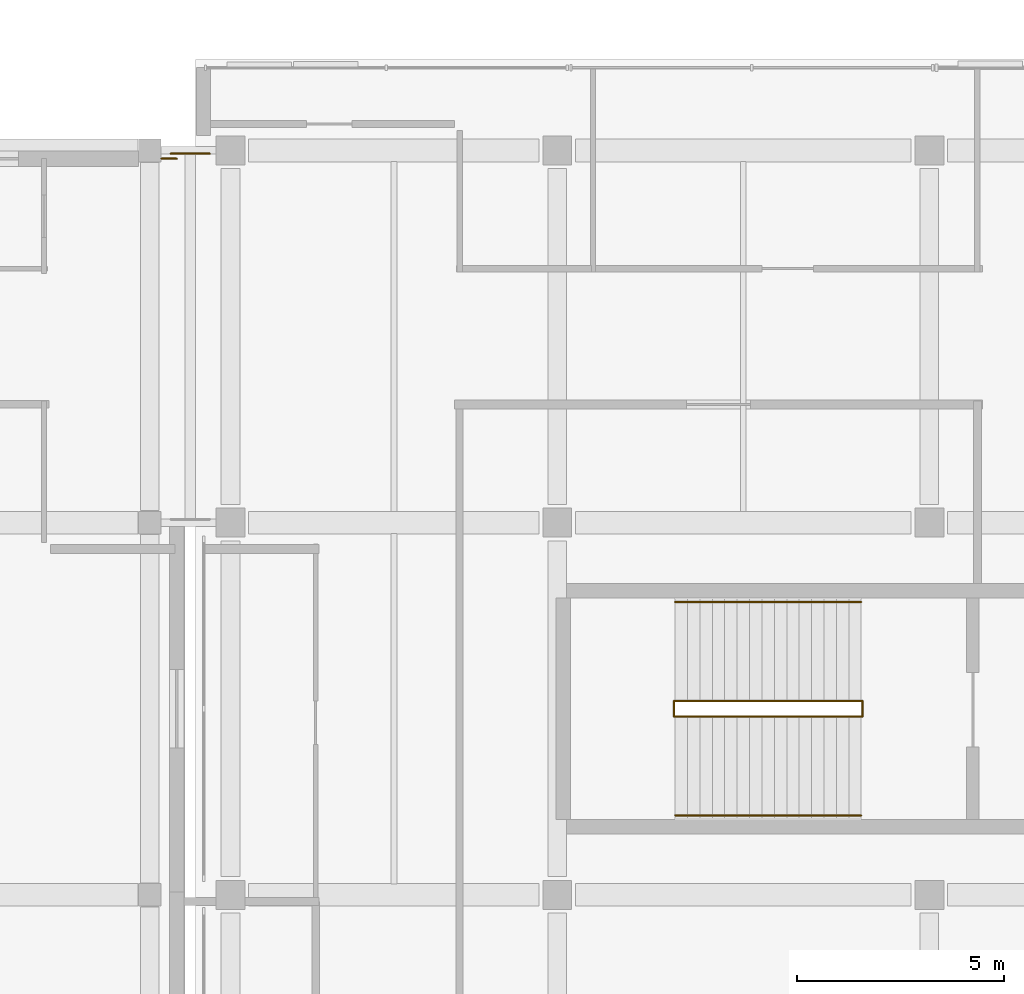
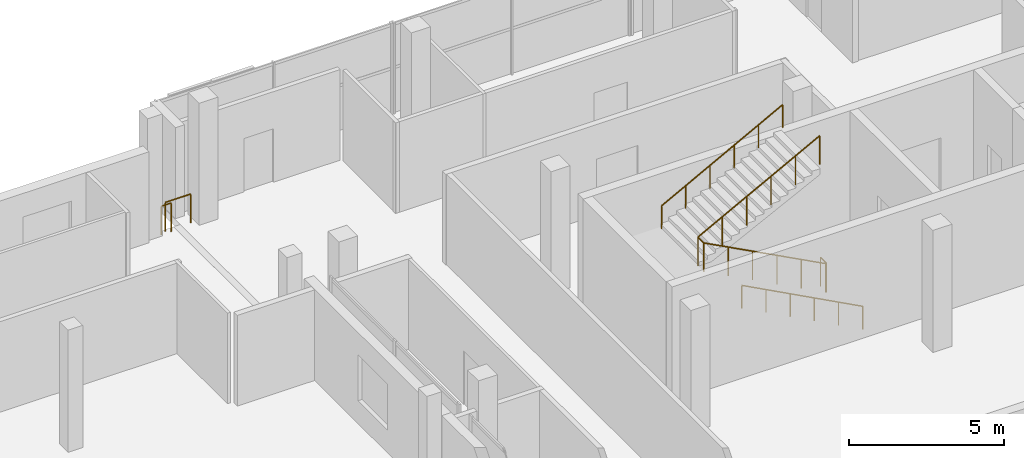
# One storey, part 109 of 111: 6 railings.
"""IFC4 building model written with IfcOpenShell, lengths in metres."""

import ifcopenshell
import ifcopenshell.guid

model = None  # the IFC model being written
_history = None  # IfcOwnerHistory: only IFC2X3 demands one
_inside = {}  # id of a spatial element -> (the spatial element, [elements in it])
_under = {}  # id of a project, library or spatial element -> (it, [spatial elements below it])
_declared = {}  # id of a project -> (the project, [libraries it declares])
_typed = {}  # id of a type object -> (the type object, [elements of that type])
_made_of = {}  # id of a material, layer set ... -> (it, [elements and type objects made of it])


def new_model(schema):
    """Start an empty IFC model of exactly this schema.

    Asked for "IFC4X3", IfcOpenShell would pick the latest addendum, in which some entities
    have other attributes; the version numbers below select the first issue.
    IFC2X3 requires an IfcOwnerHistory on every rooted entity: one is made here for all.
    """
    global model, _history
    if schema == "IFC4X3":
        model = ifcopenshell.file(schema_version=(4, 3, 0, 0))
    else:
        model = ifcopenshell.file(schema=schema)
    _inside.clear()
    _under.clear()
    _declared.clear()
    _typed.clear()
    _made_of.clear()
    _history = None
    if model.schema == "IFC2X3":
        org = make("IfcOrganization", Name="unknown")
        user = make(
            "IfcPersonAndOrganization",
            ThePerson=make("IfcPerson", FamilyName="unknown"),
            TheOrganization=org,
        )
        app = make(
            "IfcApplication",
            ApplicationDeveloper=org,
            Version="unknown",
            ApplicationFullName="unknown",
            ApplicationIdentifier="unknown",
        )
        _history = make(
            "IfcOwnerHistory",
            OwningUser=user,
            OwningApplication=app,
            ChangeAction="ADDED",
            CreationDate=0,
        )
    return model


def make(cls, **values):
    """One entity of the class cls with the attributes given. An attribute that is None is left unset."""
    return model.create_entity(
        cls, **{name: value for name, value in values.items() if value is not None}
    )


def rooted(cls, **values):
    """An entity with a GlobalId (a new one), such as an element, a storey or a relation."""
    return make(cls, GlobalId=ifcopenshell.guid.new(), OwnerHistory=_history, **values)


def si_unit(unit_type, name, prefix=None):
    """IfcSIUnit, for example si_unit("LENGTHUNIT", "METRE", prefix="MILLI")."""
    return make("IfcSIUnit", UnitType=unit_type, Prefix=prefix, Name=name)


def assignment(units):
    """IfcUnitAssignment: the units of a project."""
    return None if units is None else make("IfcUnitAssignment", Units=units)


def point(xyz):
    """IfcCartesianPoint."""
    return None if xyz is None else make("IfcCartesianPoint", Coordinates=xyz)


def direction(xyz):
    """IfcDirection."""
    return None if xyz is None else make("IfcDirection", DirectionRatios=xyz)


def frame(location, z_axis=None, x_axis=None):
    """IfcAxis2Placement3D, a coordinate frame: its origin and axes. An axis left out is left unset."""
    return make(
        "IfcAxis2Placement3D",
        Location=point(location),
        Axis=direction(z_axis),
        RefDirection=direction(x_axis),
    )


def frame_2d(location, x_axis=None):
    """IfcAxis2Placement2D, a coordinate frame in the plane: its origin and x axis."""
    return make(
        "IfcAxis2Placement2D", Location=point(location), RefDirection=direction(x_axis)
    )


def origin():
    """The frame at (0, 0, 0) with its axes left unset."""
    return frame((0.0, 0.0, 0.0))


def origin_2d():
    """The frame at (0, 0) in the plane with its x axis left unset."""
    return frame_2d((0.0, 0.0))


def place(relative_to, where):
    """IfcLocalPlacement: puts the frame where relative to a parent placement (None: the world)."""
    return make(
        "IfcLocalPlacement", PlacementRelTo=relative_to, RelativePlacement=where
    )


def context(
    kind, dimensions, precision=None, world=None, true_north=None, identifier=None
):
    """IfcGeometricRepresentationContext, for example the 3D "Model" context."""
    return make(
        "IfcGeometricRepresentationContext",
        ContextIdentifier=identifier,
        ContextType=kind,
        CoordinateSpaceDimension=dimensions,
        Precision=precision,
        WorldCoordinateSystem=world,
        TrueNorth=true_north,
    )


def subcontext(parent, identifier, kind, view, scale=None):
    """IfcGeometricRepresentationSubContext, for example "Body" below "Model"."""
    return make(
        "IfcGeometricRepresentationSubContext",
        ContextIdentifier=identifier,
        ContextType=kind,
        ParentContext=parent,
        TargetScale=scale,
        TargetView=view,
    )


def project(units=None, contexts=None):
    """IfcProject with its units and contexts."""
    return rooted(
        "IfcProject",
        Name="project",
        RepresentationContexts=contexts,
        UnitsInContext=assignment(units),
    )


def spatial(cls, under=None, at=None, **own):
    """A site, building, storey or space (cls), placed at a placement, below another one or the project."""
    s = rooted(cls, ObjectPlacement=at, **own)
    if under is not None:
        _under.setdefault(under.id(), (under, []))[1].append(s)
    return s


def profile(cls, at=None, kind="AREA", **sizes):
    """A parametric profile (cls). Its sizes go by their IFC names, for example OverallWidth=200.0."""
    return make(cls, ProfileType=kind, Position=at, **sizes)


def circle(**sizes):
    """IfcCircleProfileDef."""
    return profile("IfcCircleProfileDef", **sizes)


def extrude(swept, where, along, depth):
    """IfcExtrudedAreaSolid: the profile swept, set in the frame where, extruded along a direction by depth."""
    return make(
        "IfcExtrudedAreaSolid",
        SweptArea=swept,
        Position=where,
        ExtrudedDirection=direction(along),
        Depth=depth,
    )


def shape(context_of_items, identifier, shape_type, items):
    """IfcShapeRepresentation: the items that make up one representation, for example the "Body"."""
    return make(
        "IfcShapeRepresentation",
        ContextOfItems=context_of_items,
        RepresentationIdentifier=identifier,
        RepresentationType=shape_type,
        Items=items,
    )


def material(Name=None, Category=None):
    """IfcMaterial."""
    return make("IfcMaterial", Name=Name, Category=Category)


def made_of(thing, what):
    """Note that an element or type object is made of a material, layer set ...; save() writes the relation."""
    if what is not None:
        _made_of.setdefault(what.id(), (what, []))[1].append(thing)
    return thing


def type_object(cls, material=None, **own):
    """A type object (cls), such as IfcWallType, which elements share."""
    return made_of(rooted(cls, **own), material)


def element(
    cls,
    number,
    at=None,
    inside=None,
    cuts=None,
    type_object=None,
    material=None,
    context=None,
    identifier="Body",
    shape_type=None,
    held_by="IfcProductDefinitionShape",
    body=None,
    shapes=None,
    **own,
):
    """One element of the class cls, such as IfcWall. Its Tag is "e" and its number.

    at: its placement. inside: the storey or other place that contains it. cuts: it is an
    opening in that element (IfcRelVoidsElement). A single representation is given by context,
    identifier, shape_type and body (its items); several are given by shapes. held_by: the class
    of the entity that holds the representations. save() writes the other relations.
    """
    e = rooted(cls, Tag="e%d" % number, ObjectPlacement=at, **own)
    if body is not None:
        shapes = [shape(context, identifier, shape_type, body)]
    if shapes is not None:
        e.Representation = make(held_by, Representations=shapes)
    if inside is not None:
        _inside.setdefault(inside.id(), (inside, []))[1].append(e)
    if cuts is not None:
        rooted(
            "IfcRelVoidsElement", RelatingBuildingElement=cuts, RelatedOpeningElement=e
        )
    if type_object is not None:
        _typed.setdefault(type_object.id(), (type_object, []))[1].append(e)
    return made_of(e, material)


def aggregate(whole, parts):
    """IfcRelAggregates: a whole, such as a stair, and the parts it consists of."""
    return rooted("IfcRelAggregates", RelatingObject=whole, RelatedObjects=parts)


def save(model, path):
    """Write the relations noted so far, then the file.

    IfcRelAggregates (storeys below a building ...), IfcRelContainedInSpatialStructure (elements
    in a storey), IfcRelDefinesByType, IfcRelAssociatesMaterial and IfcRelDeclares: one each for
    every whole, place, type object, material and project.
    """
    for whole, parts in _under.values():
        aggregate(whole, parts)
    for where, things in _inside.values():
        rooted(
            "IfcRelContainedInSpatialStructure",
            RelatedElements=things,
            RelatingStructure=where,
        )
    for kind, things in _typed.values():
        rooted("IfcRelDefinesByType", RelatedObjects=things, RelatingType=kind)
    for what, things in _made_of.values():
        rooted("IfcRelAssociatesMaterial", RelatedObjects=things, RelatingMaterial=what)
    for by, libraries in _declared.values():
        rooted("IfcRelDeclares", RelatingContext=by, RelatedDefinitions=libraries)
    model.write(path)


model = new_model("IFC4")

# Units and contexts
model_context = context("Model", 3, precision=1e-05, world=origin(), true_north=direction((0.0, 1.0)))
body_context = subcontext(model_context, "Body", "Model", "MODEL_VIEW")
ifc_project = project(units=[si_unit("LENGTHUNIT", "METRE"), si_unit("AREAUNIT", "SQUARE_METRE"), si_unit("VOLUMEUNIT", "CUBIC_METRE"), si_unit("PLANEANGLEUNIT", "RADIAN"), si_unit("MASSUNIT", "GRAM", prefix="KILO"), si_unit("THERMODYNAMICTEMPERATUREUNIT", "KELVIN"), si_unit("POWERUNIT", "WATT")], contexts=[model_context])

# Site, building, storey
site_placement = place(None, origin())
site = spatial("IfcSite", under=ifc_project, at=site_placement, CompositionType="ELEMENT")
building_placement = place(site_placement, origin())
building = spatial("IfcBuilding", under=site, at=building_placement, Name="Sindhuravela Promenade Stadium", CompositionType="ELEMENT")
storey_placement = place(building_placement, frame((0.0, 0.0, 9.60009765625)))
storey = spatial("IfcBuildingStorey", under=building, at=storey_placement, Name="L02", CompositionType="ELEMENT", Elevation=9.60009765625)

# Railings
ifc_material = material(Name="Architectural wrought steel E350", Category="steel")
railing_type_1 = type_object("IfcRailingType", Name="RL-GRD-1150", PredefinedType="GUARDRAIL", material=ifc_material)
railing_1_placement = place(storey_placement, frame((53.429931640625, 152.800048828125, 0.0)))
element("IfcRailing", 1, at=railing_1_placement, inside=storey, type_object=railing_type_1, Name="Perimeter edge return guard Pavilion NW L02", PredefinedType="GUARDRAIL", context=body_context, shape_type="SweptSolid", body=[
    extrude(circle(Radius=0.02392578125, at=origin_2d()), frame((0.0, 0.0, 1.1259765625), z_axis=(1.0, 0.0, 0.0), x_axis=(0.0, 1.0, 0.0)), (0.0, 0.0, 1.0), 0.3701171875),
    extrude(circle(Radius=0.02099609375, at=origin_2d()), origin(), (0.0, 0.0, 1.0), 1.101806640625),
    extrude(circle(Radius=0.02099609375, at=origin_2d()), frame((0.3701171875, 0.0, 0.0)), (0.0, 0.0, 1.0), 1.101806640625),
])
railing_2_placement = place(storey_placement, frame((53.64990234375, 152.919921875, 0.0)))
element("IfcRailing", 2, at=railing_2_placement, inside=storey, type_object=railing_type_1, Name="Bridge edge guardrail GR01-86", PredefinedType="GUARDRAIL", context=body_context, shape_type="SweptSolid", body=[
    extrude(circle(Radius=0.02392578125, at=origin_2d()), frame((0.0, 0.0, 1.1259765625), z_axis=(1.0, 0.0, 0.0), x_axis=(0.0, 1.0, 0.0)), (0.0, 0.0, 1.0), 0.9501953125),
    extrude(circle(Radius=0.02099609375, at=origin_2d()), origin(), (0.0, 0.0, 1.0), 1.101806640625),
    extrude(circle(Radius=0.02099609375, at=origin_2d()), frame((0.9501953125, 0.0, 0.0)), (0.0, 0.0, 1.0), 1.101806640625),
])
railing_3_placement = place(storey_placement, frame((70.35009765625, 139.31005859375, 0.0)))
element("IfcRailing", 3, at=railing_3_placement, inside=storey, type_object=railing_type_1, Name="Stair ST09 inner well guard (L02)", PredefinedType="GUARDRAIL", context=body_context, shape_type="SweptSolid", body=[
    extrude(circle(Radius=0.02392578125, at=origin_2d()), frame((0.0, 0.0, 1.1259765625), z_axis=(-0.8836546633431795, 0.0, 0.46813933390802775), x_axis=(0.0, -1.0, 0.0)), (0.0, 0.0, 1.0), 5.12646484375),
    extrude(circle(Radius=0.02392578125, at=origin_2d()), frame((-4.530029296875, 0.0, 3.52587890625), z_axis=(0.0, 1.0, 0.0), x_axis=(-1.0, 0.0, 0.0)), (0.0, 0.0, 1.0), 0.3798828125),
    extrude(circle(Radius=0.02392578125, at=origin_2d()), frame((-4.530029296875, 0.3798828125, 3.52587890625), z_axis=(0.8836546633431795, 0.0, 0.46813933390802775), x_axis=(0.0, 1.0, 0.0)), (0.0, 0.0, 1.0), 5.12646484375),
    extrude(circle(Radius=0.02099609375, at=origin_2d()), origin(), (0.0, 0.0, 1.0), 1.101806640625),
    extrude(circle(Radius=0.02099609375, at=origin_2d()), frame((-0.906005859375, 0.0, 0.47998046875)), (0.0, 0.0, 1.0), 1.101806640625),
    extrude(circle(Radius=0.02099609375, at=origin_2d()), frame((-1.81201171875, 0.0, 0.9599609375)), (0.0, 0.0, 1.0), 1.101806640625),
    extrude(circle(Radius=0.02099609375, at=origin_2d()), frame((-2.718017578125, 0.0, 1.43994140625)), (0.0, 0.0, 1.0), 1.101806640625),
    extrude(circle(Radius=0.02099609375, at=origin_2d()), frame((-3.6240234375, 0.0, 1.919921875)), (0.0, 0.0, 1.0), 1.101806640625),
    extrude(circle(Radius=0.02099609375, at=origin_2d()), frame((-4.530029296875, 0.0, 2.39990234375)), (0.0, 0.0, 1.0), 1.101806640625),
    extrude(circle(Radius=0.02099609375, at=origin_2d()), frame((-4.530029296875, 0.3798828125, 2.39990234375)), (0.0, 0.0, 1.0), 1.101806640625),
    extrude(circle(Radius=0.02099609375, at=origin_2d()), frame((-3.6240234375, 0.3798828125, 2.8798828125)), (0.0, 0.0, 1.0), 1.101806640625),
    extrude(circle(Radius=0.02099609375, at=origin_2d()), frame((-2.718017578125, 0.3798828125, 3.35986328125)), (0.0, 0.0, 1.0), 1.101806640625),
    extrude(circle(Radius=0.02099609375, at=origin_2d()), frame((-1.81201171875, 0.3798828125, 3.83984375)), (0.0, 0.0, 1.0), 1.101806640625),
    extrude(circle(Radius=0.02099609375, at=origin_2d()), frame((-0.906005859375, 0.3798828125, 4.31982421875)), (0.0, 0.0, 1.0), 1.101806640625),
    extrude(circle(Radius=0.02099609375, at=origin_2d()), frame((0.0, 0.3798828125, 4.7998046875)), (0.0, 0.0, 1.0), 1.101806640625),
])
railing_4_placement = place(storey_placement, frame((70.3798828125, 139.31005859375, 0.0)))
element("IfcRailing", 4, at=railing_4_placement, inside=storey, type_object=railing_type_1, Name="Stair ST09 landing well slot guard (L02)", PredefinedType="GUARDRAIL", context=body_context, shape_type="SweptSolid", body=[
    extrude(circle(Radius=0.02392578125, at=origin_2d()), frame((0.0, 0.0, 1.1259765625), z_axis=(0.0, 1.0, 0.0), x_axis=(-1.0, 0.0, 0.0)), (0.0, 0.0, 1.0), 0.3798828125),
    extrude(circle(Radius=0.02099609375, at=origin_2d()), origin(), (0.0, 0.0, 1.0), 1.101806640625),
    extrude(circle(Radius=0.02099609375, at=origin_2d()), frame((0.0, 0.3798828125, 0.0)), (0.0, 0.0, 1.0), 1.101806640625),
])
railing_type_2 = type_object("IfcRailingType", Name="RL-HND-920", PredefinedType="HANDRAIL", material=ifc_material)
railing_5_placement = place(storey_placement, frame((70.35009765625, 136.919921875, 0.0)))
element("IfcRailing", 5, at=railing_5_placement, inside=storey, type_object=railing_type_2, Name="Stair ST09 lower wall handrail (L02)", PredefinedType="HANDRAIL", context=body_context, shape_type="SweptSolid", body=[
    extrude(circle(Radius=0.02392578125, at=origin_2d()), frame((0.0, 0.0, 0.89599609375), z_axis=(-0.8823608919668723, 0.0, 0.4705733272588083), x_axis=(0.0, -1.0, 0.0)), (0.0, 0.0, 1.0), 5.099853515625),
    extrude(circle(Radius=0.02099609375, at=origin_2d()), origin(), (0.0, 0.0, 1.0), 0.871826171875),
    extrude(circle(Radius=0.02099609375, at=origin_2d()), frame((-0.89990234375, 0.0, 0.47998046875)), (0.0, 0.0, 1.0), 0.871826171875),
    extrude(circle(Radius=0.02099609375, at=origin_2d()), frame((-1.800048828125, 0.0, 0.9599609375)), (0.0, 0.0, 1.0), 0.871826171875),
    extrude(circle(Radius=0.02099609375, at=origin_2d()), frame((-2.699951171875, 0.0, 1.43994140625)), (0.0, 0.0, 1.0), 0.871826171875),
    extrude(circle(Radius=0.02099609375, at=origin_2d()), frame((-3.60009765625, 0.0, 1.919921875)), (0.0, 0.0, 1.0), 0.871826171875),
    extrude(circle(Radius=0.02099609375, at=origin_2d()), frame((-4.5, 0.0, 2.39990234375)), (0.0, 0.0, 1.0), 0.871826171875),
])
railing_6_placement = place(storey_placement, frame((65.85009765625, 142.080078125, 2.39990234375)))
element("IfcRailing", 6, at=railing_6_placement, inside=storey, type_object=railing_type_2, Name="Stair ST09 upper wall handrail (L02)", PredefinedType="HANDRAIL", context=body_context, shape_type="SweptSolid", body=[
    extrude(circle(Radius=0.02392578125, at=origin_2d()), frame((0.0, 0.0, 0.89599609375), z_axis=(0.8823608919668723, 0.0, 0.4705733272588083), x_axis=(0.0, 1.0, 0.0)), (0.0, 0.0, 1.0), 5.099853515625),
    extrude(circle(Radius=0.02099609375, at=origin_2d()), origin(), (0.0, 0.0, 1.0), 0.871826171875),
    extrude(circle(Radius=0.02099609375, at=origin_2d()), frame((0.89990234375, 0.0, 0.47998046875)), (0.0, 0.0, 1.0), 0.871826171875),
    extrude(circle(Radius=0.02099609375, at=origin_2d()), frame((1.800048828125, 0.0, 0.9599609375)), (0.0, 0.0, 1.0), 0.871826171875),
    extrude(circle(Radius=0.02099609375, at=origin_2d()), frame((2.699951171875, 0.0, 1.43994140625)), (0.0, 0.0, 1.0), 0.871826171875),
    extrude(circle(Radius=0.02099609375, at=origin_2d()), frame((3.60009765625, 0.0, 1.919921875)), (0.0, 0.0, 1.0), 0.871826171875),
    extrude(circle(Radius=0.02099609375, at=origin_2d()), frame((4.5, 0.0, 2.39990234375)), (0.0, 0.0, 1.0), 0.871826171875),
])

save(model, "model.ifc")
